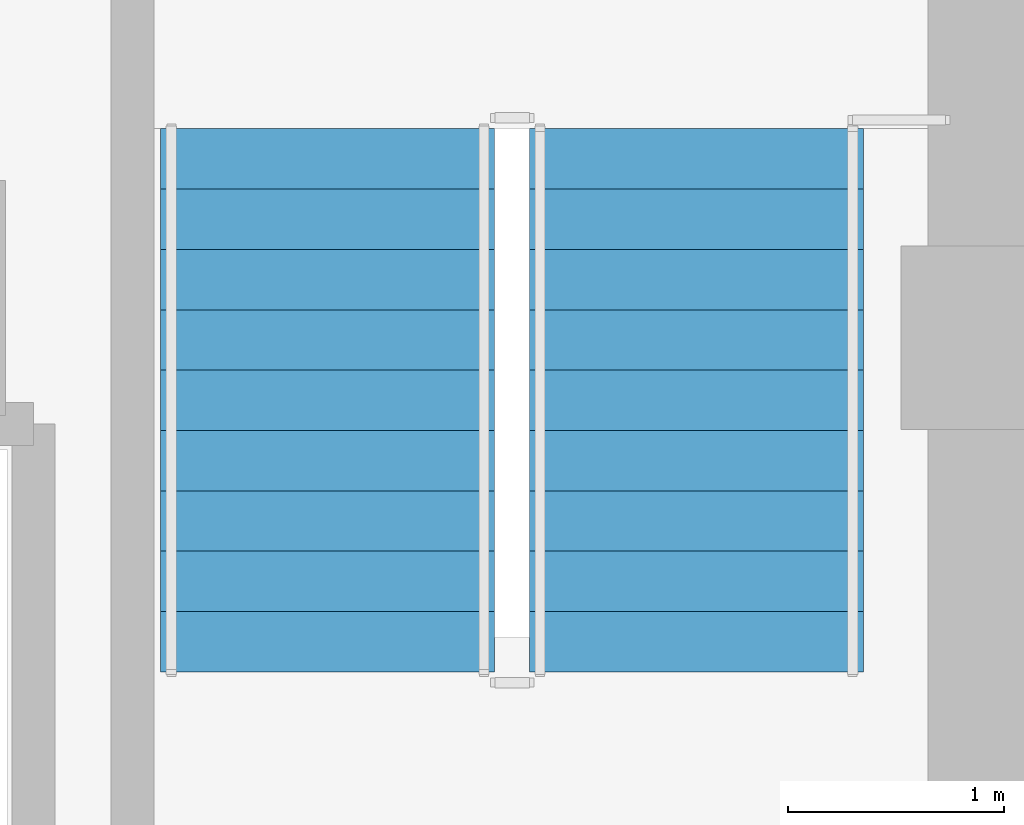
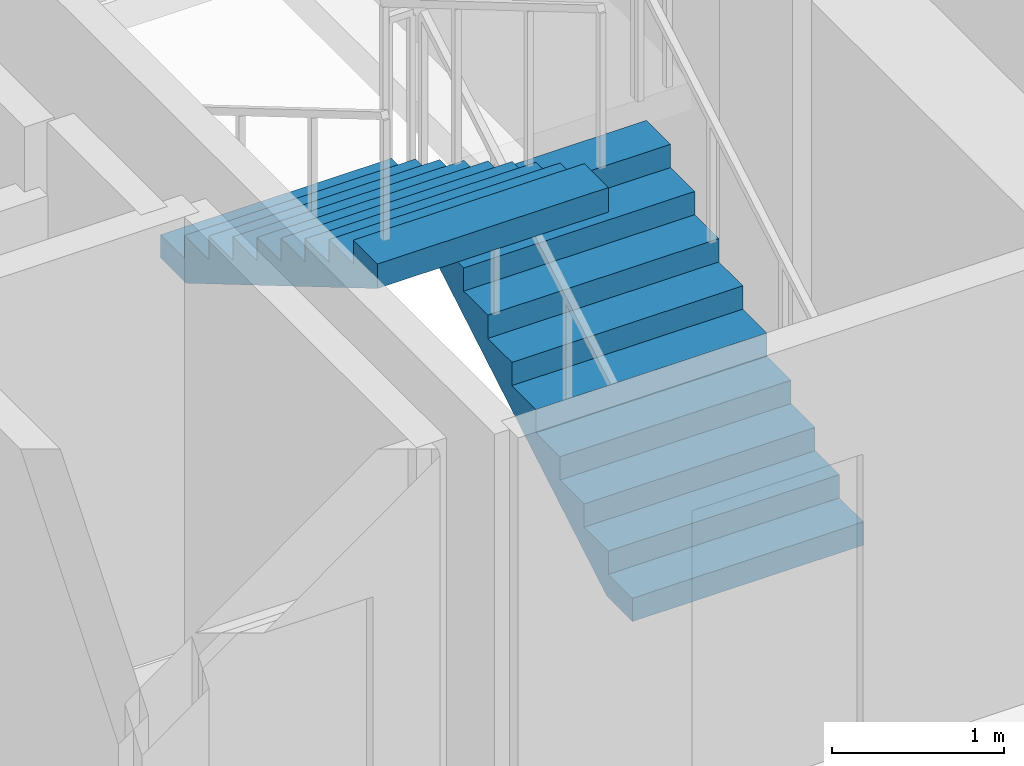
# One storey, part 19 of 24: 2 stair flights, 1 element without a shape of its own.
"""IFC4 building model written with IfcOpenShell, lengths in metres."""

from ifc_helpers import new_model, si_unit, direction, frame, origin, place, context, subcontext, project, spatial, polyline, outline, extrude, material, type_object, element, aggregate, save


model = new_model("IFC4")

# Units and contexts
model_context = context("Model", 3, precision=1e-05, world=origin(), true_north=direction((0.0, 1.0)))
body_context = subcontext(model_context, "Body", "Model", "MODEL_VIEW")
ifc_project = project(units=[si_unit("LENGTHUNIT", "METRE"), si_unit("AREAUNIT", "SQUARE_METRE"), si_unit("VOLUMEUNIT", "CUBIC_METRE"), si_unit("PLANEANGLEUNIT", "RADIAN"), si_unit("MASSUNIT", "GRAM", prefix="KILO")], contexts=[model_context])

# Site, building, storey
site_placement = place(None, origin())
site = spatial("IfcSite", under=ifc_project, at=site_placement, CompositionType="ELEMENT")
building_placement = place(site_placement, origin())
building = spatial("IfcBuilding", under=site, at=building_placement, Name="Zarnakvel Exchange Tower", CompositionType="ELEMENT")
storey_placement = place(building_placement, frame((0.0, 0.0, 235.300048828125)))
storey = spatial("IfcBuildingStorey", under=building, at=storey_placement, Name="L66", CompositionType="ELEMENT", Elevation=235.300048828125)

# Stair, stair flights
ifc_material = material(Name="Concrete C40/50", Category="concrete")
stair_type = type_object("IfcStairType", Name="STR-01", PredefinedType="HALF_TURN_STAIR", material=ifc_material)
stair_placement = place(storey_placement, origin())
stair = element("IfcStair", 1, at=stair_placement, inside=storey, type_object=stair_type, Name="L66 Protected Core Exit Stair ST-02", PredefinedType="HALF_TURN_STAIR")
stair_flight_type = type_object("IfcStairFlightType", Name="FLT-01", PredefinedType="STRAIGHT", material=ifc_material)
stair_flight_1_placement = place(storey_placement, frame((13.02490234375, 5.050048828125, 0.0), z_axis=(0.0, 0.0, 1.0), x_axis=(0.0, 1.0, 0.0)))
stair_flight_1 = element("IfcStairFlight", 2, at=stair_flight_1_placement, type_object=stair_flight_type, Name="ST-02 flight 1", NumberOfRisers=10, NumberOfTreads=9, PredefinedType="STRAIGHT", RiserHeight=0.165, TreadLength=0.28, context=body_context, shape_type="SweptSolid", body=[
    extrude(outline(polyline([(0.0, 0.0), (0.0, 0.1650390625), (0.280029296875, 0.1650390625), (0.280029296875, 0.330078125), (0.56005859375, 0.330078125), (0.56005859375, 0.4951171875), (0.840087890625, 0.4951171875), (0.840087890625, 0.659912109375), (1.1201171875, 0.659912109375), (1.1201171875, 0.824951171875), (1.39990234375, 0.824951171875), (1.39990234375, 0.989990234375), (1.679931640625, 0.989990234375), (1.679931640625, 1.155029296875), (1.9599609375, 1.155029296875), (1.9599609375, 1.320068359375), (2.239990234375, 1.320068359375), (2.239990234375, 1.485107421875), (2.52001953125, 1.485107421875), (2.52001953125, 1.64990234375), (2.52001953125, 1.31103515625), (0.295166015625, 0.0), (0.0, 0.0)])), frame((0.0, 0.77490234375, 0.0), z_axis=(0.0, -1.0, 0.0), x_axis=(1.0, 0.0, 0.0)), (0.0, 0.0, 1.0), 1.550048828125),
])
stair_flight_2_placement = place(storey_placement, frame((11.31494140625, 7.570068359375, 1.64990234375), z_axis=(0.0, 0.0, 1.0), x_axis=(0.0, -1.0, 0.0)))
stair_flight_2 = element("IfcStairFlight", 3, at=stair_flight_2_placement, type_object=stair_flight_type, Name="ST-02 flight 2", NumberOfRisers=10, NumberOfTreads=9, PredefinedType="STRAIGHT", RiserHeight=0.165, TreadLength=0.28, context=body_context, shape_type="SweptSolid", body=[
    extrude(outline(polyline([(0.0, 0.0), (0.0, 0.1650390625), (0.280029296875, 0.1650390625), (0.280029296875, 0.330078125), (0.56005859375, 0.330078125), (0.56005859375, 0.4951171875), (0.840087890625, 0.4951171875), (0.840087890625, 0.659912109375), (1.1201171875, 0.659912109375), (1.1201171875, 0.824951171875), (1.39990234375, 0.824951171875), (1.39990234375, 0.989990234375), (1.679931640625, 0.989990234375), (1.679931640625, 1.155029296875), (1.9599609375, 1.155029296875), (1.9599609375, 1.320068359375), (2.239990234375, 1.320068359375), (2.239990234375, 1.485107421875), (2.52001953125, 1.485107421875), (2.52001953125, 1.64990234375), (2.52001953125, 1.31103515625), (0.295166015625, 0.0), (0.0, 0.0)])), frame((0.0, 0.77490234375, 0.0), z_axis=(0.0, -1.0, 0.0), x_axis=(1.0, 0.0, 0.0)), (0.0, 0.0, 1.0), 1.550048828125),
])
aggregate(stair, [stair_flight_1, stair_flight_2])

save(model, "model.ifc")
